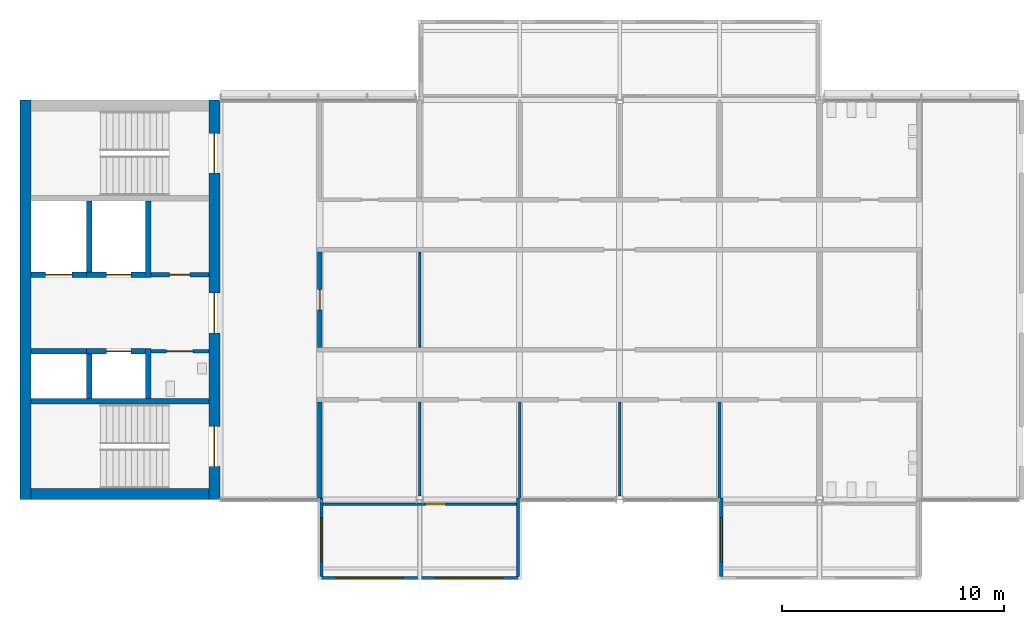
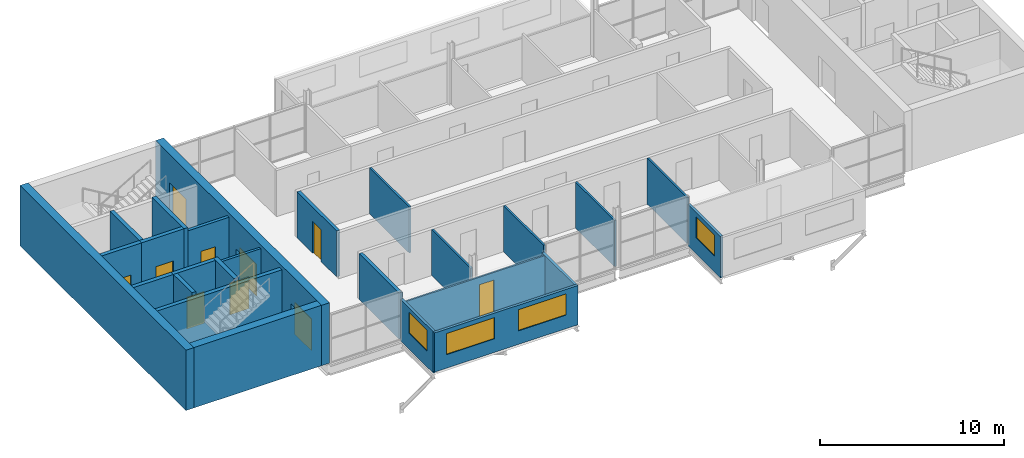
# One storey, part 6 of 12: 26 walls, 10 doors, 4 windows, 14 openings.
"""IFC4 building model written with IfcOpenShell, lengths in metres."""

from ifc_helpers import new_model, si_unit, direction, frame, frame_2d, origin, place, context, subcontext, project, spatial, rectangle, extrude, material, layer, layer_set, type_object, element, fill, save


model = new_model("IFC4")

# Units and contexts
model_context = context("Model", 3, precision=1e-05, world=origin(), true_north=direction((0.0, 1.0)))
body_context = subcontext(model_context, "Body", "Model", "MODEL_VIEW")
ifc_project = project(units=[si_unit("LENGTHUNIT", "METRE"), si_unit("AREAUNIT", "SQUARE_METRE"), si_unit("VOLUMEUNIT", "CUBIC_METRE"), si_unit("PLANEANGLEUNIT", "RADIAN"), si_unit("MASSUNIT", "GRAM", prefix="KILO")], contexts=[model_context])

# Site, building, storey
site_placement = place(None, origin())
site = spatial("IfcSite", under=ifc_project, at=site_placement, CompositionType="ELEMENT")
building_placement = place(site_placement, origin())
building = spatial("IfcBuilding", under=site, at=building_placement, Name="Corbel Yard City Hall", CompositionType="ELEMENT")
storey_placement = place(building_placement, frame((0.0, 0.0, 55.199951171875)))
storey = spatial("IfcBuildingStorey", under=building, at=storey_placement, Name="L13", CompositionType="ELEMENT", Elevation=55.199951171875)

# Walls
ifc_material_1 = material(Name="Concrete N40 (40 MPa)", Category="concrete")
ifc_layer_1 = layer(ifc_material_1, 0.25)
ifc_layer_set_1 = layer_set([ifc_layer_1], Name="Concrete N40 (40 MPa)")
wall_type_1 = type_object("IfcWallType", Name="IW2", PredefinedType="SOLIDWALL", material=ifc_layer_set_1)
wall_1_placement = place(storey_placement, frame((8.5, 103.425048828125, 0.0), z_axis=(0.0, 0.0, 1.0), x_axis=(-1.0, 0.0, 0.0)))
element("IfcWall", 1, at=wall_1_placement, inside=storey, type_object=wall_type_1, Name="Stair enclosure wall", PredefinedType="SOLIDWALL", context=body_context, shape_type="SweptSolid", body=[
    extrude(rectangle(XDim=8.0, YDim=0.25, at=frame_2d((4.0, 0.0))), origin(), (0.0, 0.0, 1.0), 3.75),
])
wall_2_placement = place(storey_placement, frame((5.77490234375, 103.550048828125, 0.0), z_axis=(0.0, 0.0, 1.0), x_axis=(0.0, 1.0, 0.0)))
element("IfcWall", 2, at=wall_2_placement, inside=storey, type_object=wall_type_1, Name="Lift LP22 shaft wall", PredefinedType="SOLIDWALL", context=body_context, shape_type="SweptSolid", body=[
    extrude(rectangle(XDim=2.25, YDim=0.25, at=frame_2d((1.125, 0.0))), origin(), (0.0, 0.0, 1.0), 4.0),
])
wall_3_placement = place(storey_placement, frame((3.125, 103.550048828125, 0.0), z_axis=(0.0, 0.0, 1.0), x_axis=(0.0, 1.0, 0.0)))
element("IfcWall", 3, at=wall_3_placement, inside=storey, type_object=wall_type_1, Name="Lift LP22 shaft wall", PredefinedType="SOLIDWALL", context=body_context, shape_type="SweptSolid", body=[
    extrude(rectangle(XDim=2.0, YDim=0.25, at=frame_2d((1.0, 0.0))), origin(), (0.0, 0.0, 1.0), 4.0),
])

# Wall, opening, door
wall_4_placement = place(storey_placement, frame((5.64990234375, 105.675048828125, 0.0), z_axis=(0.0, 0.0, 1.0), x_axis=(-1.0, 0.0, 0.0)))
wall_4 = element("IfcWall", 4, at=wall_4_placement, inside=storey, type_object=wall_type_1, Name="Lift LP22 shaft wall", PredefinedType="SOLIDWALL", context=body_context, shape_type="SweptSolid", body=[
    extrude(rectangle(XDim=2.64990234375, YDim=0.25, at=frame_2d((1.324951171875, 0.0))), origin(), (0.0, 0.0, 1.0), 4.0),
])
opening_1_placement = place(wall_4_placement, frame((0.64990234375, 0.0, 0.0)))
opening_1 = element("IfcOpeningElement", 5, at=opening_1_placement, cuts=wall_4, Name="Opening T4-004", PredefinedType="OPENING", context=body_context, shape_type="SweptSolid", body=[
    extrude(rectangle(XDim=1.10009765625, YDim=2.10009765625, at=frame_2d((0.550048828125, 1.050048828125))), frame((0.0, 0.135009765625, 0.0), z_axis=(0.0, -1.0, 0.0), x_axis=(1.0, 0.0, 0.0)), (0.0, 0.0, 1.0), 0.27001953125),
])
ifc_material_2 = material(Name="Stainless steel Grade 316", Category="steel")
door_type_1 = type_object("IfcDoorType", Name="LD1", OperationType="DOUBLE_DOOR_SLIDING", PredefinedType="DOOR", material=ifc_material_2)
door_1_placement = place(opening_1_placement, origin())
door_1 = element("IfcDoor", 6, at=door_1_placement, inside=storey, type_object=door_type_1, Name="Lift LP22 landing door", OperationType="DOUBLE_DOOR_SLIDING", OverallHeight=2.10009765625, OverallWidth=1.10009765625, PredefinedType="DOOR", context=body_context, shape_type="SweptSolid", body=[
    extrude(rectangle(XDim=1.10009765625, YDim=2.10009765625, at=frame_2d((0.550048828125, 1.050048828125))), frame((0.0, 0.02490234375, 0.0), z_axis=(0.0, -1.0, 0.0), x_axis=(1.0, 0.0, 0.0)), (0.0, 0.0, 1.0), 0.050048828125),
])
fill(opening_1, door_1)

# Walls
wall_5_placement = place(storey_placement, frame((3.0, 105.675048828125, 0.0), z_axis=(0.0, 0.0, 1.0), x_axis=(-1.0, 0.0, 0.0)))
element("IfcWall", 7, at=wall_5_placement, inside=storey, type_object=wall_type_1, Name="Lift LP23 shaft wall", PredefinedType="SOLIDWALL", context=body_context, shape_type="SweptSolid", body=[
    extrude(rectangle(XDim=2.5, YDim=0.25, at=frame_2d((1.25, 0.0))), origin(), (0.0, 0.0, 1.0), 4.0),
])
wall_6_placement = place(storey_placement, frame((5.77490234375, 109.0, 0.0), z_axis=(0.0, 0.0, 1.0), x_axis=(0.0, 1.0, 0.0)))
element("IfcWall", 8, at=wall_6_placement, inside=storey, type_object=wall_type_1, Name="Lift LP24 shaft wall", PredefinedType="SOLIDWALL", context=body_context, shape_type="SweptSolid", body=[
    extrude(rectangle(XDim=3.449951171875, YDim=0.25, at=frame_2d((1.72509765625, 0.0))), origin(), (0.0, 0.0, 1.0), 4.0),
])
wall_7_placement = place(storey_placement, frame((3.125, 109.25, 0.0), z_axis=(0.0, 0.0, 1.0), x_axis=(0.0, 1.0, 0.0)))
element("IfcWall", 9, at=wall_7_placement, inside=storey, type_object=wall_type_1, Name="Lift LP24 shaft wall", PredefinedType="SOLIDWALL", context=body_context, shape_type="SweptSolid", body=[
    extrude(rectangle(XDim=3.199951171875, YDim=0.25, at=frame_2d((1.60009765625, 0.0))), origin(), (0.0, 0.0, 1.0), 4.0),
])

# Wall, opening, door
wall_8_placement = place(storey_placement, frame((5.64990234375, 109.125, 0.0), z_axis=(0.0, 0.0, 1.0), x_axis=(-1.0, 0.0, 0.0)))
wall_8 = element("IfcWall", 10, at=wall_8_placement, inside=storey, type_object=wall_type_1, Name="Lift LP24 shaft wall", PredefinedType="SOLIDWALL", context=body_context, shape_type="SweptSolid", body=[
    extrude(rectangle(XDim=2.64990234375, YDim=0.25, at=frame_2d((1.324951171875, 0.0))), origin(), (0.0, 0.0, 1.0), 4.0),
])
opening_2_placement = place(wall_8_placement, frame((0.64990234375, 0.0, 0.0)))
opening_2 = element("IfcOpeningElement", 11, at=opening_2_placement, cuts=wall_8, Name="Opening T4-005", PredefinedType="OPENING", context=body_context, shape_type="SweptSolid", body=[
    extrude(rectangle(XDim=1.10009765625, YDim=2.10009765625, at=frame_2d((0.550048828125, 1.050048828125))), frame((0.0, 0.135009765625, 0.0), z_axis=(0.0, -1.0, 0.0), x_axis=(1.0, 0.0, 0.0)), (0.0, 0.0, 1.0), 0.27001953125),
])
door_2_placement = place(opening_2_placement, origin())
door_2 = element("IfcDoor", 12, at=door_2_placement, inside=storey, type_object=door_type_1, Name="Lift LP24 landing door", OperationType="DOUBLE_DOOR_SLIDING", OverallHeight=2.10009765625, OverallWidth=1.10009765625, PredefinedType="DOOR", context=body_context, shape_type="SweptSolid", body=[
    extrude(rectangle(XDim=1.10009765625, YDim=2.10009765625, at=frame_2d((0.550048828125, 1.050048828125))), frame((0.0, 0.02490234375, 0.0), z_axis=(0.0, -1.0, 0.0), x_axis=(1.0, 0.0, 0.0)), (0.0, 0.0, 1.0), 0.050048828125),
])
fill(opening_2, door_2)

wall_9_placement = place(storey_placement, frame((3.0, 109.125, 0.0), z_axis=(0.0, 0.0, 1.0), x_axis=(-1.0, 0.0, 0.0)))
wall_9 = element("IfcWall", 13, at=wall_9_placement, inside=storey, type_object=wall_type_1, Name="Lift LF1 shaft wall", PredefinedType="SOLIDWALL", context=body_context, shape_type="SweptSolid", body=[
    extrude(rectangle(XDim=2.5, YDim=0.25, at=frame_2d((1.25, 0.0))), origin(), (0.0, 0.0, 1.0), 4.0),
])
opening_3_placement = place(wall_9_placement, frame((0.64990234375, 0.0, 0.0)))
opening_3 = element("IfcOpeningElement", 14, at=opening_3_placement, cuts=wall_9, Name="Opening T4-006", PredefinedType="OPENING", context=body_context, shape_type="SweptSolid", body=[
    extrude(rectangle(XDim=1.199951171875, YDim=2.10009765625, at=frame_2d((0.60009765625, 1.050048828125))), frame((0.0, 0.135009765625, 0.0), z_axis=(0.0, -1.0, 0.0), x_axis=(1.0, 0.0, 0.0)), (0.0, 0.0, 1.0), 0.27001953125),
])
door_type_2 = type_object("IfcDoorType", Name="LD2", OperationType="DOUBLE_DOOR_SLIDING", PredefinedType="DOOR", material=ifc_material_2)
door_3_placement = place(opening_3_placement, origin())
door_3 = element("IfcDoor", 15, at=door_3_placement, inside=storey, type_object=door_type_2, Name="Lift LF1 landing door", OperationType="DOUBLE_DOOR_SLIDING", OverallHeight=2.10009765625, OverallWidth=1.199951171875, PredefinedType="DOOR", context=body_context, shape_type="SweptSolid", body=[
    extrude(rectangle(XDim=1.199951171875, YDim=2.10009765625, at=frame_2d((0.60009765625, 1.050048828125))), frame((0.0, 0.02490234375, 0.0), z_axis=(0.0, -1.0, 0.0), x_axis=(1.0, 0.0, 0.0)), (0.0, 0.0, 1.0), 0.050048828125),
])
fill(opening_3, door_3)

# Wall, openings, windows
ifc_material_3 = material(Name="Anodised aluminium", Category="aluminium")
ifc_layer_2 = layer(ifc_material_3, 0.02392578125)
ifc_material_4 = material(Name="Steel Grade G550 (550 MPa yield)", Category="steel")
ifc_layer_3 = layer(ifc_material_4, 0.10009765625)
ifc_material_5 = material(Name="Gypsum plasterboard", Category="gypsum")
ifc_layer_4 = layer(ifc_material_5, 0.02587890625)
ifc_layer_set_2 = layer_set([ifc_layer_2, ifc_layer_3, ifc_layer_4], Name="Steel Grade G550 (550 MPa yield)")
wall_type_2 = type_object("IfcWallType", Name="PD1", PredefinedType="SOLIDWALL", material=ifc_layer_set_2)
wall_10_placement = place(storey_placement, frame((13.5, 95.47509765625, 0.0), z_axis=(0.0, 0.0, 1.0), x_axis=(1.0, 0.0, 0.0)))
wall_10 = element("IfcWall", 16, at=wall_10_placement, inside=storey, type_object=wall_type_2, Name="Pod outer wall L13", PredefinedType="SOLIDWALL", context=body_context, shape_type="SweptSolid", body=[
    extrude(rectangle(XDim=9.0, YDim=0.14990234375, at=frame_2d((4.5, 0.0))), origin(), (0.0, 0.0, 1.0), 2.60009765625),
])
opening_4_placement = place(wall_10_placement, frame((0.75, 0.0, 0.89990234375)))
opening_4 = element("IfcOpeningElement", 17, at=opening_4_placement, cuts=wall_10, Name="Opening WN5", PredefinedType="OPENING", context=body_context, shape_type="SweptSolid", body=[
    extrude(rectangle(XDim=3.0, YDim=1.39990234375, at=frame_2d((1.5, 0.699951171875))), frame((0.0, 0.0849609375, 0.0), z_axis=(0.0, -1.0, 0.0), x_axis=(1.0, 0.0, 0.0)), (0.0, 0.0, 1.0), 0.169921875),
])
opening_5_placement = place(wall_10_placement, frame((5.25, 0.0, 0.89990234375)))
opening_5 = element("IfcOpeningElement", 18, at=opening_5_placement, cuts=wall_10, Name="Opening WN5", PredefinedType="OPENING", context=body_context, shape_type="SweptSolid", body=[
    extrude(rectangle(XDim=3.0, YDim=1.39990234375, at=frame_2d((1.5, 0.699951171875))), frame((0.0, 0.0849609375, 0.0), z_axis=(0.0, -1.0, 0.0), x_axis=(1.0, 0.0, 0.0)), (0.0, 0.0, 1.0), 0.169921875),
])
ifc_material_6 = material(Name="Aluminium frame, double glazed low-e glass", Category="aluminium")
window_type_1 = type_object("IfcWindowType", Name="WN5", PartitioningType="SINGLE_PANEL", PredefinedType="WINDOW", material=ifc_material_6)
window_1_placement = place(opening_4_placement, origin())
window_1 = element("IfcWindow", 19, at=window_1_placement, inside=storey, type_object=window_type_1, Name="Window WN5 L13", OverallHeight=1.39990234375, OverallWidth=3.0, PartitioningType="SINGLE_PANEL", PredefinedType="WINDOW", context=body_context, shape_type="SweptSolid", body=[
    extrude(rectangle(XDim=3.0, YDim=1.39990234375, at=frame_2d((1.5, 0.699951171875))), frame((0.0, 0.030029296875, 0.0), z_axis=(0.0, -1.0, 0.0), x_axis=(1.0, 0.0, 0.0)), (0.0, 0.0, 1.0), 0.06005859375),
])
fill(opening_4, window_1)
window_2_placement = place(opening_5_placement, origin())
window_2 = element("IfcWindow", 20, at=window_2_placement, inside=storey, type_object=window_type_1, Name="Window WN5 L13", OverallHeight=1.39990234375, OverallWidth=3.0, PartitioningType="SINGLE_PANEL", PredefinedType="WINDOW", context=body_context, shape_type="SweptSolid", body=[
    extrude(rectangle(XDim=3.0, YDim=1.39990234375, at=frame_2d((1.5, 0.699951171875))), frame((0.0, 0.030029296875, 0.0), z_axis=(0.0, -1.0, 0.0), x_axis=(1.0, 0.0, 0.0)), (0.0, 0.0, 1.0), 0.06005859375),
])
fill(opening_5, window_2)

# Wall, opening, door
ifc_layer_5 = layer(ifc_material_5, 0.01806640625)
ifc_layer_6 = layer(ifc_material_4, 0.06396484375)
ifc_layer_7 = layer(ifc_material_5, 0.01806640625)
ifc_layer_set_3 = layer_set([ifc_layer_5, ifc_layer_6, ifc_layer_7], Name="Steel Grade G550 (550 MPa yield)")
wall_type_3 = type_object("IfcWallType", Name="PD2", PredefinedType="PARTITIONING", material=ifc_layer_set_3)
wall_11_placement = place(storey_placement, frame((13.64990234375, 98.79443359375, 0.0), z_axis=(0.0, 0.0, 1.0), x_axis=(1.0, 0.0, 0.0)))
wall_11 = element("IfcWall", 21, at=wall_11_placement, inside=storey, type_object=wall_type_3, Name="Pod inner wall L13", PredefinedType="PARTITIONING", context=body_context, shape_type="SweptSolid", body=[
    extrude(rectangle(XDim=8.7001953125, YDim=0.10009765625, at=frame_2d((4.35009765625, 0.0))), origin(), (0.0, 0.0, 1.0), 2.60009765625),
])
opening_6_placement = place(wall_11_placement, frame((4.60009765625, 0.0, 0.0)))
opening_6 = element("IfcOpeningElement", 22, at=opening_6_placement, cuts=wall_11, Name="Opening T4-001", PredefinedType="OPENING", context=body_context, shape_type="SweptSolid", body=[
    extrude(rectangle(XDim=0.89990234375, YDim=2.10009765625, at=frame_2d((0.449951171875, 1.050048828125))), frame((0.0, 0.06005859375, 0.0), z_axis=(0.0, -1.0, 0.0), x_axis=(1.0, 0.0, 0.0)), (0.0, 0.0, 1.0), 0.1201171875),
])
ifc_material_7 = material(Name="Timber, solid core", Category="wood")
door_type_3 = type_object("IfcDoorType", Name="XD6", OperationType="SINGLE_SWING_LEFT", PredefinedType="DOOR", material=ifc_material_7)
door_4_placement = place(opening_6_placement, origin())
door_4 = element("IfcDoor", 23, at=door_4_placement, inside=storey, type_object=door_type_3, Name="Pod door L13", OperationType="SINGLE_SWING_LEFT", OverallHeight=2.10009765625, OverallWidth=0.89990234375, PredefinedType="DOOR", context=body_context, shape_type="SweptSolid", body=[
    extrude(rectangle(XDim=0.89990234375, YDim=2.10009765625, at=frame_2d((0.449951171875, 1.050048828125))), frame((0.0, 0.02490234375, 0.0), z_axis=(0.0, -1.0, 0.0), x_axis=(1.0, 0.0, 0.0)), (0.0, 0.0, 1.0), 0.050048828125),
])
fill(opening_6, door_4)

# Wall, opening, window
ifc_layer_8 = layer(ifc_material_3, 0.02392578125)
ifc_layer_9 = layer(ifc_material_4, 0.10009765625)
ifc_layer_10 = layer(ifc_material_5, 0.02587890625)
ifc_layer_set_4 = layer_set([ifc_layer_8, ifc_layer_9, ifc_layer_10], Name="Steel Grade G550 (550 MPa yield)")
wall_type_4 = type_object("IfcWallType", Name="PD3", PredefinedType="SOLIDWALL", material=ifc_layer_set_4)
wall_12_placement = place(storey_placement, frame((13.574951171875, 95.550048828125, -0.14990234375), z_axis=(0.0, 0.0, 1.0), x_axis=(0.0, 1.0, 0.0)))
wall_12 = element("IfcWall", 24, at=wall_12_placement, inside=storey, type_object=wall_type_4, Name="Pod side wall L13", PredefinedType="SOLIDWALL", context=body_context, shape_type="SweptSolid", body=[
    extrude(rectangle(XDim=3.52490234375, YDim=0.14990234375, at=frame_2d((1.762451171875, 0.0))), origin(), (0.0, 0.0, 1.0), 2.75),
])
opening_7_placement = place(wall_12_placement, frame((0.647216796875, 0.0, 1.050048828125)))
opening_7 = element("IfcOpeningElement", 25, at=opening_7_placement, cuts=wall_12, Name="Opening WN6", PredefinedType="OPENING", context=body_context, shape_type="SweptSolid", body=[
    extrude(rectangle(XDim=2.0, YDim=1.39990234375, at=frame_2d((1.0, 0.699951171875))), frame((0.0, 0.0849609375, 0.0), z_axis=(0.0, -1.0, 0.0), x_axis=(1.0, 0.0, 0.0)), (0.0, 0.0, 1.0), 0.169921875),
])
window_type_2 = type_object("IfcWindowType", Name="WN6", PartitioningType="SINGLE_PANEL", PredefinedType="WINDOW", material=ifc_material_6)
window_3_placement = place(opening_7_placement, origin())
window_3 = element("IfcWindow", 26, at=window_3_placement, inside=storey, type_object=window_type_2, Name="Window WN6 L13", OverallHeight=1.39990234375, OverallWidth=2.0, PartitioningType="SINGLE_PANEL", PredefinedType="WINDOW", context=body_context, shape_type="SweptSolid", body=[
    extrude(rectangle(XDim=2.0, YDim=1.39990234375, at=frame_2d((1.0, 0.699951171875))), frame((0.0, 0.030029296875, 0.0), z_axis=(0.0, -1.0, 0.0), x_axis=(1.0, 0.0, 0.0)), (0.0, 0.0, 1.0), 0.06005859375),
])
fill(opening_7, window_3)

# Wall
wall_13_placement = place(storey_placement, frame((22.425048828125, 95.550048828125, -0.14990234375), z_axis=(0.0, 0.0, 1.0), x_axis=(0.0, 1.0, 0.0)))
element("IfcWall", 27, at=wall_13_placement, inside=storey, type_object=wall_type_4, Name="Pod side wall L13", PredefinedType="SOLIDWALL", context=body_context, shape_type="SweptSolid", body=[
    extrude(rectangle(XDim=3.52490234375, YDim=0.14990234375, at=frame_2d((1.762451171875, 0.0))), origin(), (0.0, 0.0, 1.0), 2.75),
])

# Wall, opening, window
wall_14_placement = place(storey_placement, frame((31.574951171875, 95.550048828125, -0.14990234375), z_axis=(0.0, 0.0, 1.0), x_axis=(0.0, 1.0, 0.0)))
wall_14 = element("IfcWall", 28, at=wall_14_placement, inside=storey, type_object=wall_type_4, Name="Pod side wall L13", PredefinedType="SOLIDWALL", context=body_context, shape_type="SweptSolid", body=[
    extrude(rectangle(XDim=3.52490234375, YDim=0.14990234375, at=frame_2d((1.762451171875, 0.0))), origin(), (0.0, 0.0, 1.0), 2.75),
])
opening_8_placement = place(wall_14_placement, frame((0.647216796875, 0.0, 1.050048828125)))
opening_8 = element("IfcOpeningElement", 29, at=opening_8_placement, cuts=wall_14, Name="Opening WN6", PredefinedType="OPENING", context=body_context, shape_type="SweptSolid", body=[
    extrude(rectangle(XDim=2.0, YDim=1.39990234375, at=frame_2d((1.0, 0.699951171875))), frame((0.0, 0.0849609375, 0.0), z_axis=(0.0, -1.0, 0.0), x_axis=(1.0, 0.0, 0.0)), (0.0, 0.0, 1.0), 0.169921875),
])
window_4_placement = place(opening_8_placement, origin())
window_4 = element("IfcWindow", 30, at=window_4_placement, inside=storey, type_object=window_type_2, Name="Window WN6 L13", OverallHeight=1.39990234375, OverallWidth=2.0, PartitioningType="SINGLE_PANEL", PredefinedType="WINDOW", context=body_context, shape_type="SweptSolid", body=[
    extrude(rectangle(XDim=2.0, YDim=1.39990234375, at=frame_2d((1.0, 0.699951171875))), frame((0.0, 0.030029296875, 0.0), z_axis=(0.0, -1.0, 0.0), x_axis=(1.0, 0.0, 0.0)), (0.0, 0.0, 1.0), 0.06005859375),
])
fill(opening_8, window_4)

# Walls
ifc_layer_11 = layer(ifc_material_5, 0.028076171875)
ifc_layer_12 = layer(ifc_material_4, 0.06396484375)
ifc_layer_13 = layer(ifc_material_5, 0.028076171875)
ifc_layer_set_5 = layer_set([ifc_layer_11, ifc_layer_12, ifc_layer_13], Name="Steel Grade G550 (550 MPa yield)")
wall_type_5 = type_object("IfcWallType", Name="PT1", PredefinedType="PARTITIONING", material=ifc_layer_set_5)
wall_15_placement = place(storey_placement, frame((18.0, 99.16357421875, 0.0), z_axis=(0.0, 0.0, 1.0), x_axis=(0.0, 1.0, 0.0)))
element("IfcWall", 31, at=wall_15_placement, inside=storey, type_object=wall_type_5, Name="Partition", PredefinedType="PARTITIONING", context=body_context, shape_type="SweptSolid", body=[
    extrude(rectangle(XDim=4.236328125, YDim=0.1201171875, at=frame_2d((2.1181640625, 0.0))), origin(), (0.0, 0.0, 1.0), 3.050048828125),
])
wall_16_placement = place(storey_placement, frame((18.0, 105.85009765625, 0.0), z_axis=(0.0, 0.0, 1.0), x_axis=(0.0, 1.0, 0.0)))
element("IfcWall", 32, at=wall_16_placement, inside=storey, type_object=wall_type_5, Name="Partition", PredefinedType="PARTITIONING", context=body_context, shape_type="SweptSolid", body=[
    extrude(rectangle(XDim=4.2998046875, YDim=0.1201171875, at=frame_2d((2.14990234375, 0.0))), origin(), (0.0, 0.0, 1.0), 3.050048828125),
])
wall_17_placement = place(storey_placement, frame((22.5, 99.074951171875, 0.0), z_axis=(0.0, 0.0, 1.0), x_axis=(0.0, 1.0, 0.0)))
element("IfcWall", 33, at=wall_17_placement, inside=storey, type_object=wall_type_5, Name="Partition", PredefinedType="PARTITIONING", context=body_context, shape_type="SweptSolid", body=[
    extrude(rectangle(XDim=4.324951171875, YDim=0.1201171875, at=frame_2d((2.16259765625, 0.0))), origin(), (0.0, 0.0, 1.0), 3.050048828125),
])
wall_18_placement = place(storey_placement, frame((27.0, 99.16357421875, 0.0), z_axis=(0.0, 0.0, 1.0), x_axis=(0.0, 1.0, 0.0)))
element("IfcWall", 34, at=wall_18_placement, inside=storey, type_object=wall_type_5, Name="Partition", PredefinedType="PARTITIONING", context=body_context, shape_type="SweptSolid", body=[
    extrude(rectangle(XDim=4.236328125, YDim=0.1201171875, at=frame_2d((2.1181640625, 0.0))), origin(), (0.0, 0.0, 1.0), 3.050048828125),
])
wall_19_placement = place(storey_placement, frame((31.5, 99.074951171875, 0.0), z_axis=(0.0, 0.0, 1.0), x_axis=(0.0, 1.0, 0.0)))
element("IfcWall", 35, at=wall_19_placement, inside=storey, type_object=wall_type_5, Name="Partition", PredefinedType="PARTITIONING", context=body_context, shape_type="SweptSolid", body=[
    extrude(rectangle(XDim=4.324951171875, YDim=0.1201171875, at=frame_2d((2.16259765625, 0.0))), origin(), (0.0, 0.0, 1.0), 3.050048828125),
])
ifc_layer_14 = layer(ifc_material_5, 0.031982421875)
ifc_layer_15 = layer(ifc_material_4, 0.135986328125)
ifc_layer_16 = layer(ifc_material_5, 0.031982421875)
ifc_layer_set_6 = layer_set([ifc_layer_14, ifc_layer_15, ifc_layer_16], Name="Steel Grade G550 (550 MPa yield)")
wall_type_6 = type_object("IfcWallType", Name="PT2", PredefinedType="PARTITIONING", material=ifc_layer_set_6)
wall_20_placement = place(storey_placement, frame((13.5, 99.074951171875, 0.0), z_axis=(0.0, 0.0, 1.0), x_axis=(0.0, 1.0, 0.0)))
element("IfcWall", 36, at=wall_20_placement, inside=storey, type_object=wall_type_6, Name="Acoustic wall", PredefinedType="PARTITIONING", context=body_context, shape_type="SweptSolid", body=[
    extrude(rectangle(XDim=4.324951171875, YDim=0.199951171875, at=frame_2d((2.16259765625, 0.0))), origin(), (0.0, 0.0, 1.0), 3.050048828125),
])

# Wall, opening, door
wall_21_placement = place(storey_placement, frame((13.5, 105.85009765625, 0.0), z_axis=(0.0, 0.0, 1.0), x_axis=(0.0, 1.0, 0.0)))
wall_21 = element("IfcWall", 37, at=wall_21_placement, inside=storey, type_object=wall_type_6, Name="Acoustic wall", PredefinedType="PARTITIONING", context=body_context, shape_type="SweptSolid", body=[
    extrude(rectangle(XDim=4.2998046875, YDim=0.199951171875, at=frame_2d((2.14990234375, 0.0))), origin(), (0.0, 0.0, 1.0), 3.050048828125),
])
opening_9_placement = place(wall_21_placement, frame((1.68994140625, 0.0, 0.0)))
opening_9 = element("IfcOpeningElement", 38, at=opening_9_placement, cuts=wall_21, Name="Opening T4-012", PredefinedType="OPENING", context=body_context, shape_type="SweptSolid", body=[
    extrude(rectangle(XDim=0.919921875, YDim=2.10009765625, at=frame_2d((0.4599609375, 1.050048828125))), frame((0.0, 0.10986328125, 0.0), z_axis=(0.0, -1.0, 0.0), x_axis=(1.0, 0.0, 0.0)), (0.0, 0.0, 1.0), 0.219970703125),
])
ifc_material_8 = material(Name="Timber", Category="wood")
door_type_4 = type_object("IfcDoorType", Name="D4", OperationType="SINGLE_SWING_LEFT", PredefinedType="DOOR", material=ifc_material_8)
door_5_placement = place(opening_9_placement, frame((0.919921875, 0.0, 0.0), z_axis=(0.0, 0.0, 1.0), x_axis=(-1.0, 0.0, 0.0)))
door_5 = element("IfcDoor", 39, at=door_5_placement, inside=storey, type_object=door_type_4, Name="Door Print Room 1310", OperationType="SINGLE_SWING_RIGHT", OverallHeight=2.10009765625, OverallWidth=0.919921875, PredefinedType="DOOR", context=body_context, shape_type="SweptSolid", body=[
    extrude(rectangle(XDim=0.919921875, YDim=2.10009765625, at=frame_2d((0.4599609375, 1.050048828125))), frame((0.0, 0.02490234375, 0.0), z_axis=(0.0, -1.0, 0.0), x_axis=(1.0, 0.0, 0.0)), (0.0, 0.0, 1.0), 0.050048828125),
])
fill(opening_9, door_5)

ifc_layer_17 = layer(ifc_material_5, 0.031982421875)
ifc_layer_18 = layer(ifc_material_4, 0.095947265625)
ifc_layer_19 = layer(ifc_material_5, 0.031982421875)
ifc_layer_set_7 = layer_set([ifc_layer_17, ifc_layer_18, ifc_layer_19], Name="Steel Grade G550 (550 MPa yield)")
wall_type_7 = type_object("IfcWallType", Name="PT3", PredefinedType="PARTITIONING", material=ifc_layer_set_7)
wall_22_placement = place(storey_placement, frame((8.5, 105.675048828125, 0.0), z_axis=(0.0, 0.0, 1.0), x_axis=(-1.0, 0.0, 0.0)))
wall_22 = element("IfcWall", 40, at=wall_22_placement, inside=storey, type_object=wall_type_7, Name="Accessible WC wall", PredefinedType="PARTITIONING", context=body_context, shape_type="SweptSolid", body=[
    extrude(rectangle(XDim=2.60009765625, YDim=0.159912109375, at=frame_2d((1.300048828125, 0.0))), origin(), (0.0, 0.0, 1.0), 3.75),
])
opening_10_placement = place(wall_22_placement, frame((0.699951171875, 0.0, 0.0)))
opening_10 = element("IfcOpeningElement", 41, at=opening_10_placement, cuts=wall_22, Name="Opening T4-029", PredefinedType="OPENING", context=body_context, shape_type="SweptSolid", body=[
    extrude(rectangle(XDim=1.199951171875, YDim=2.10009765625, at=frame_2d((0.60009765625, 1.050048828125))), frame((0.0, 0.08984375, 0.0), z_axis=(0.0, -1.0, 0.0), x_axis=(1.0, 0.0, 0.0)), (0.0, 0.0, 1.0), 0.179931640625),
])
ifc_material_9 = material(Name="Steel Grade G250", Category="steel")
door_type_5 = type_object("IfcDoorType", Name="FD7", OperationType="SINGLE_SWING_LEFT", PredefinedType="DOOR", material=ifc_material_9)
door_6_placement = place(opening_10_placement, origin())
door_6 = element("IfcDoor", 42, at=door_6_placement, inside=storey, type_object=door_type_5, Name="Door accessible WC West", OperationType="SINGLE_SWING_LEFT", OverallHeight=2.10009765625, OverallWidth=1.199951171875, PredefinedType="DOOR", context=body_context, shape_type="SweptSolid", body=[
    extrude(rectangle(XDim=1.199951171875, YDim=2.10009765625, at=frame_2d((0.60009765625, 1.050048828125))), frame((0.0, 0.02490234375, 0.0), z_axis=(0.0, -1.0, 0.0), x_axis=(1.0, 0.0, 0.0)), (0.0, 0.0, 1.0), 0.050048828125),
])
fill(opening_10, door_6)

ifc_material_10 = material(Name="Concrete block", Category="concrete")
ifc_layer_20 = layer(ifc_material_10, 0.18994140625)
ifc_layer_set_8 = layer_set([ifc_layer_20], Name="Concrete block")
wall_type_8 = type_object("IfcWallType", Name="PT4", PredefinedType="PARTITIONING", material=ifc_layer_set_8)
wall_23_placement = place(storey_placement, frame((8.5, 109.125, 0.0), z_axis=(0.0, 0.0, 1.0), x_axis=(-1.0, 0.0, 0.0)))
wall_23 = element("IfcWall", 43, at=wall_23_placement, inside=storey, type_object=wall_type_8, Name="Riser wall", PredefinedType="PARTITIONING", context=body_context, shape_type="SweptSolid", body=[
    extrude(rectangle(XDim=2.60009765625, YDim=0.18994140625, at=frame_2d((1.300048828125, 0.0))), origin(), (0.0, 0.0, 1.0), 3.75),
])
opening_11_placement = place(wall_23_placement, frame((0.840087890625, 0.0, 0.0)))
opening_11 = element("IfcOpeningElement", 44, at=opening_11_placement, cuts=wall_23, Name="Opening T4-030", PredefinedType="OPENING", context=body_context, shape_type="SweptSolid", body=[
    extrude(rectangle(XDim=0.919921875, YDim=2.10009765625, at=frame_2d((0.4599609375, 1.050048828125))), frame((0.0, 0.10498046875, 0.0), z_axis=(0.0, -1.0, 0.0), x_axis=(1.0, 0.0, 0.0)), (0.0, 0.0, 1.0), 0.2099609375),
])
door_type_6 = type_object("IfcDoorType", Name="FS4", OperationType="SINGLE_SWING_LEFT", PredefinedType="DOOR", material=ifc_material_9)
door_7_placement = place(opening_11_placement, frame((0.919921875, 0.0, 0.0), z_axis=(0.0, 0.0, 1.0), x_axis=(-1.0, 0.0, 0.0)))
door_7 = element("IfcDoor", 45, at=door_7_placement, inside=storey, type_object=door_type_6, Name="Door riser West", OperationType="SINGLE_SWING_RIGHT", OverallHeight=2.10009765625, OverallWidth=0.919921875, PredefinedType="DOOR", context=body_context, shape_type="SweptSolid", body=[
    extrude(rectangle(XDim=0.919921875, YDim=2.10009765625, at=frame_2d((0.4599609375, 1.050048828125))), frame((0.0, 0.02490234375, 0.0), z_axis=(0.0, -1.0, 0.0), x_axis=(1.0, 0.0, 0.0)), (0.0, 0.0, 1.0), 0.050048828125),
])
fill(opening_11, door_7)

# Wall
ifc_material_11 = material(Name="Concrete N50 (50 MPa)", Category="concrete")
ifc_layer_21 = layer(ifc_material_11, 0.5)
ifc_layer_set_9 = layer_set([ifc_layer_21], Name="Concrete N50 (50 MPa)")
wall_type_9 = type_object("IfcWallType", Name="Trunk wall 500", PredefinedType="SHEAR", material=ifc_layer_set_9)
wall_24_placement = place(storey_placement, frame((0.25, 99.0, 0.0), z_axis=(0.0, 0.0, 1.0), x_axis=(0.0, 1.0, 0.0)))
element("IfcWall", 46, at=wall_24_placement, inside=storey, type_object=wall_type_9, Name="Trunk W west wall", PredefinedType="SHEAR", context=body_context, shape_type="SweptSolid", body=[
    extrude(rectangle(XDim=18.0, YDim=0.5, at=frame_2d((9.0, 0.0))), origin(), (0.0, 0.0, 1.0), 4.0),
])

# Wall, openings, doors
wall_25_placement = place(storey_placement, frame((8.75, 99.0, 0.0), z_axis=(0.0, 0.0, 1.0), x_axis=(0.0, 1.0, 0.0)))
wall_25 = element("IfcWall", 47, at=wall_25_placement, inside=storey, type_object=wall_type_9, Name="Trunk W east wall", PredefinedType="SHEAR", context=body_context, shape_type="SweptSolid", body=[
    extrude(rectangle(XDim=18.0, YDim=0.5, at=frame_2d((9.0, 0.0))), origin(), (0.0, 0.0, 1.0), 4.0),
])
opening_12_placement = place(wall_25_placement, frame((1.5, 0.0, 0.0)))
opening_12 = element("IfcOpeningElement", 48, at=opening_12_placement, cuts=wall_25, Name="Opening T4-026", PredefinedType="OPENING", context=body_context, shape_type="SweptSolid", body=[
    extrude(rectangle(XDim=1.800048828125, YDim=2.10009765625, at=frame_2d((0.89990234375, 1.050048828125))), frame((0.0, 0.260009765625, 0.0), z_axis=(0.0, -1.0, 0.0), x_axis=(1.0, 0.0, 0.0)), (0.0, 0.0, 1.0), 0.52001953125),
])
opening_13_placement = place(wall_25_placement, frame((14.699951171875, 0.0, 0.0)))
opening_13 = element("IfcOpeningElement", 49, at=opening_13_placement, cuts=wall_25, Name="Opening T4-027", PredefinedType="OPENING", context=body_context, shape_type="SweptSolid", body=[
    extrude(rectangle(XDim=1.800048828125, YDim=2.10009765625, at=frame_2d((0.89990234375, 1.050048828125))), frame((0.0, 0.260009765625, 0.0), z_axis=(0.0, -1.0, 0.0), x_axis=(1.0, 0.0, 0.0)), (0.0, 0.0, 1.0), 0.52001953125),
])
opening_14_placement = place(wall_25_placement, frame((7.5, 0.0, 0.0)))
opening_14 = element("IfcOpeningElement", 50, at=opening_14_placement, cuts=wall_25, Name="Opening T4-028", PredefinedType="OPENING", context=body_context, shape_type="SweptSolid", body=[
    extrude(rectangle(XDim=1.800048828125, YDim=2.10009765625, at=frame_2d((0.89990234375, 1.050048828125))), frame((0.0, 0.260009765625, 0.0), z_axis=(0.0, -1.0, 0.0), x_axis=(1.0, 0.0, 0.0)), (0.0, 0.0, 1.0), 0.52001953125),
])
door_type_7 = type_object("IfcDoorType", Name="FS3", OperationType="DOUBLE_DOOR_SINGLE_SWING", PredefinedType="DOOR", material=ifc_material_9)
door_8_placement = place(opening_12_placement, origin())
door_8 = element("IfcDoor", 51, at=door_8_placement, inside=storey, type_object=door_type_7, Name="Door ST-W1", OperationType="DOUBLE_DOOR_SINGLE_SWING", OverallHeight=2.10009765625, OverallWidth=1.800048828125, PredefinedType="DOOR", context=body_context, shape_type="SweptSolid", body=[
    extrude(rectangle(XDim=1.800048828125, YDim=2.10009765625, at=frame_2d((0.89990234375, 1.050048828125))), frame((0.0, 0.02490234375, 0.0), z_axis=(0.0, -1.0, 0.0), x_axis=(1.0, 0.0, 0.0)), (0.0, 0.0, 1.0), 0.050048828125),
])
fill(opening_12, door_8)
door_9_placement = place(opening_13_placement, origin())
door_9 = element("IfcDoor", 52, at=door_9_placement, inside=storey, type_object=door_type_7, Name="Door ST-W2", OperationType="DOUBLE_DOOR_SINGLE_SWING", OverallHeight=2.10009765625, OverallWidth=1.800048828125, PredefinedType="DOOR", context=body_context, shape_type="SweptSolid", body=[
    extrude(rectangle(XDim=1.800048828125, YDim=2.10009765625, at=frame_2d((0.89990234375, 1.050048828125))), frame((0.0, 0.02490234375, 0.0), z_axis=(0.0, -1.0, 0.0), x_axis=(1.0, 0.0, 0.0)), (0.0, 0.0, 1.0), 0.050048828125),
])
fill(opening_13, door_9)
door_10_placement = place(opening_14_placement, origin())
door_10 = element("IfcDoor", 53, at=door_10_placement, inside=storey, type_object=door_type_7, Name="Door lift lobby West", OperationType="DOUBLE_DOOR_SINGLE_SWING", OverallHeight=2.10009765625, OverallWidth=1.800048828125, PredefinedType="DOOR", context=body_context, shape_type="SweptSolid", body=[
    extrude(rectangle(XDim=1.800048828125, YDim=2.10009765625, at=frame_2d((0.89990234375, 1.050048828125))), frame((0.0, 0.02490234375, 0.0), z_axis=(0.0, -1.0, 0.0), x_axis=(1.0, 0.0, 0.0)), (0.0, 0.0, 1.0), 0.050048828125),
])
fill(opening_14, door_10)

# Wall
wall_26_placement = place(storey_placement, frame((0.5, 99.25, 0.0), z_axis=(0.0, 0.0, 1.0), x_axis=(1.0, 0.0, 0.0)))
element("IfcWall", 54, at=wall_26_placement, inside=storey, type_object=wall_type_9, Name="Trunk W south wall", PredefinedType="SHEAR", context=body_context, shape_type="SweptSolid", body=[
    extrude(rectangle(XDim=8.0, YDim=0.5, at=frame_2d((4.0, 0.0))), origin(), (0.0, 0.0, 1.0), 4.0),
])

save(model, "model.ifc")
